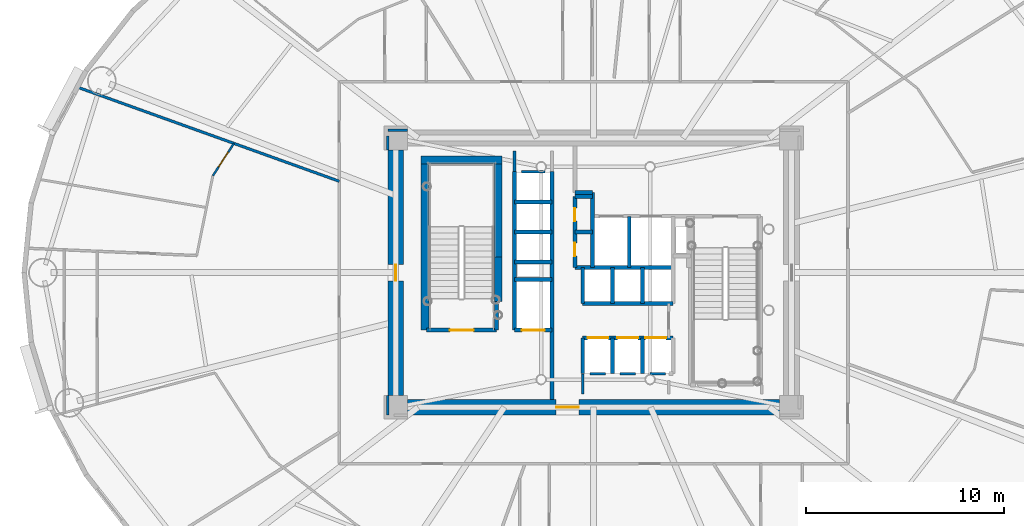
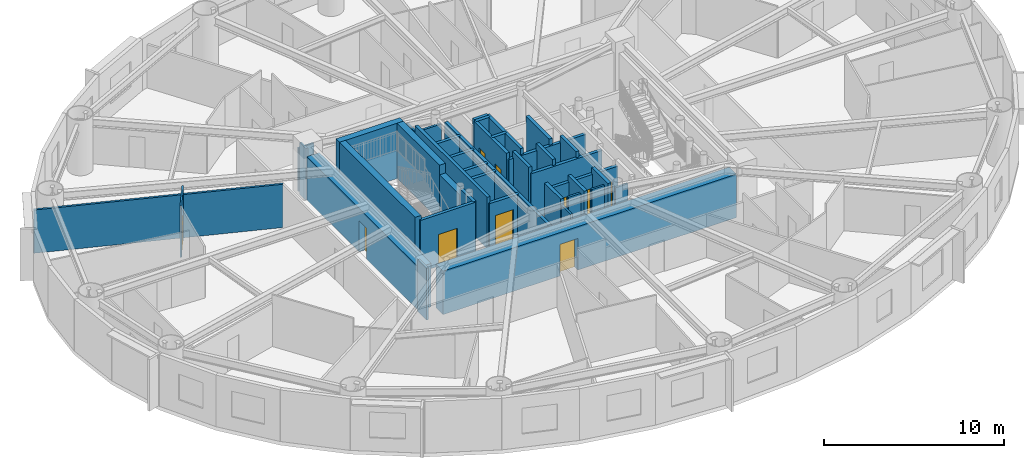
# One storey, part 9 of 18: 41 walls, 10 doors, 10 openings.
"""IFC4 building model written with IfcOpenShell, lengths in metres."""

from ifc_helpers import new_model, si_unit, direction, frame, frame_2d, origin, origin_2d, place, context, subcontext, project, spatial, rectangle, extrude, source, transform, mapped, material, layer, layer_set, type_object, element, fill, save


model = new_model("IFC4")

# Units and contexts
model_context = context("Model", 3, precision=1e-05, world=origin(), true_north=direction((0.0, 1.0)))
body_context = subcontext(model_context, "Body", "Model", "MODEL_VIEW")
ifc_project = project(units=[si_unit("LENGTHUNIT", "METRE"), si_unit("AREAUNIT", "SQUARE_METRE"), si_unit("VOLUMEUNIT", "CUBIC_METRE"), si_unit("PLANEANGLEUNIT", "RADIAN"), si_unit("MASSUNIT", "GRAM", prefix="KILO")], contexts=[model_context])

# Site, building, storey
site_placement = place(None, origin())
site = spatial("IfcSite", under=ifc_project, at=site_placement, CompositionType="ELEMENT")
building_placement = place(site_placement, origin())
building = spatial("IfcBuilding", under=site, at=building_placement, Name="Linh Dai School and Residence Tower", CompositionType="ELEMENT")
storey_placement = place(building_placement, frame((0.0, 0.0, 123.449951171875)))
storey = spatial("IfcBuildingStorey", under=building, at=storey_placement, Name="L29", CompositionType="ELEMENT", Elevation=123.449951171875)

# Walls
ifc_material_1 = material(Name="Autoclaved Aerated Concrete Blockwork", Category="masonry")
ifc_layer_1 = layer(ifc_material_1, 0.135009765625)
ifc_layer_set_1 = layer_set([ifc_layer_1], Name="Autoclaved Aerated Concrete Blockwork")
wall_type_1 = type_object("IfcWallType", Name="IW-CORR-135-EI90", PredefinedType="PARTITIONING", material=ifc_layer_set_1)
wall_1_placement = place(storey_placement, frame((9.90966796875, 36.375, 0.0), z_axis=(0.0, 0.0, 1.0), x_axis=(0.941089213164, -0.338158384292, 0.0)))
element("IfcWall", 1, at=wall_1_placement, inside=storey, type_object=wall_type_1, Name="L29 Interior Partition Wall 005", PredefinedType="PARTITIONING", context=body_context, shape_type="SweptSolid", body=[
    extrude(rectangle(XDim=14.069091796875, YDim=0.135009765625, at=frame_2d((7.03466796875, 0.0))), origin(), (0.0, 0.0, 1.0), 2.93505859375),
])
wall_2_placement = place(storey_placement, frame((36.60009765625, 21.89990234375, 0.0), z_axis=(0.0, 0.0, 1.0), x_axis=(-1.0, 0.0, 0.0)))
element("IfcWall", 2, at=wall_2_placement, inside=storey, type_object=wall_type_1, Name="L29 Interior Partition Wall 099", PredefinedType="PARTITIONING", context=body_context, shape_type="SweptSolid", body=[
    extrude(rectangle(XDim=0.7900390625, YDim=0.135009765625, at=frame_2d((0.39501953125, 0.0))), origin(), (0.0, 0.0, 1.0), 3.5),
])
wall_3_placement = place(storey_placement, frame((38.1201171875, 21.89990234375, 0.0), z_axis=(0.0, 0.0, 1.0), x_axis=(-1.0, 0.0, 0.0)))
element("IfcWall", 3, at=wall_3_placement, inside=storey, type_object=wall_type_1, Name="L29 Interior Partition Wall 100", PredefinedType="PARTITIONING", context=body_context, shape_type="SweptSolid", body=[
    extrude(rectangle(XDim=0.800048828125, YDim=0.135009765625, at=frame_2d((0.39990234375, 0.0))), origin(), (0.0, 0.0, 1.0), 3.5),
])
wall_4_placement = place(storey_placement, frame((39.639892578125, 21.89990234375, 0.0), z_axis=(0.0, 0.0, 1.0), x_axis=(-1.0, 0.0, 0.0)))
element("IfcWall", 4, at=wall_4_placement, inside=storey, type_object=wall_type_1, Name="L29 Interior Partition Wall 101", PredefinedType="PARTITIONING", context=body_context, shape_type="SweptSolid", body=[
    extrude(rectangle(XDim=0.7998046875, YDim=0.135009765625, at=frame_2d((0.39990234375, 0.0))), origin(), (0.0, 0.0, 1.0), 3.0849609375),
])
wall_5_placement = place(storey_placement, frame((32.360107421875, 32.10009765625, 0.0), z_axis=(0.0, 0.0, 1.0), x_axis=(1.0, 0.0, 0.0)))
element("IfcWall", 5, at=wall_5_placement, inside=storey, type_object=wall_type_1, Name="L29 Interior Partition Wall 102", PredefinedType="PARTITIONING", context=body_context, shape_type="SweptSolid", body=[
    extrude(rectangle(XDim=1.179931640625, YDim=0.135009765625, at=frame_2d((0.58984375, 0.0))), origin(), (0.0, 0.0, 1.0), 3.0849609375),
])
wall_6_placement = place(storey_placement, frame((32.0, 33.139892578125, 0.0), z_axis=(0.0, 0.0, 1.0), x_axis=(0.0, -1.0, 0.0)))
element("IfcWall", 6, at=wall_6_placement, inside=storey, type_object=wall_type_1, Name="L29 Interior Partition Wall 104", PredefinedType="PARTITIONING", context=body_context, shape_type="SweptSolid", body=[
    extrude(rectangle(XDim=1.02978515625, YDim=0.135009765625, at=frame_2d((0.514892578125, 0.0))), origin(), (0.0, 0.0, 1.0), 3.03515625),
])
wall_7_placement = place(storey_placement, frame((35.449951171875, 21.889892578125, 0.0), z_axis=(0.0, 0.0, 1.0), x_axis=(0.0, -1.0, 0.0)))
element("IfcWall", 7, at=wall_7_placement, inside=storey, type_object=wall_type_1, Name="L29 Interior Partition Wall 106", PredefinedType="PARTITIONING", context=body_context, shape_type="SweptSolid", body=[
    extrude(rectangle(XDim=1.02978515625, YDim=0.135009765625, at=frame_2d((0.514892578125, 0.0))), origin(), (0.0, 0.0, 1.0), 3.0849609375),
])
wall_8_placement = place(storey_placement, frame((26.590087890625, 34.199951171875, 0.0), z_axis=(0.0, 0.0, 1.0), x_axis=(-1.0, 0.0, 0.0)))
element("IfcWall", 8, at=wall_8_placement, inside=storey, type_object=wall_type_1, Name="L29 Interior Partition Wall 111", PredefinedType="PARTITIONING", context=body_context, shape_type="SweptSolid", body=[
    extrude(rectangle(XDim=0.989990234375, YDim=0.135009765625, at=frame_2d((0.4951171875, 0.0))), origin(), (0.0, 0.0, 1.0), 2.93505859375),
])
wall_9_placement = place(storey_placement, frame((25.60009765625, 33.892578125, 0.0), z_axis=(0.0, 0.0, 1.0), x_axis=(0.0, -1.0, 0.0)))
element("IfcWall", 9, at=wall_9_placement, inside=storey, type_object=wall_type_1, Name="L29 Interior Partition Wall 112", PredefinedType="PARTITIONING", context=body_context, shape_type="SweptSolid", body=[
    extrude(rectangle(XDim=0.6826171875, YDim=0.135009765625, at=frame_2d((0.34130859375, 0.0))), origin(), (0.0, 0.0, 1.0), 3.5),
])
wall_10_placement = place(storey_placement, frame((25.60009765625, 20.7900390625, 0.0), z_axis=(0.0, 0.0, 1.0), x_axis=(0.0, -1.0, 0.0)))
element("IfcWall", 10, at=wall_10_placement, inside=storey, type_object=wall_type_1, Name="L29 Interior Partition Wall 113", PredefinedType="PARTITIONING", context=body_context, shape_type="SweptSolid", body=[
    extrude(rectangle(XDim=0.989990234375, YDim=0.135009765625, at=frame_2d((0.4951171875, 0.0))), origin(), (0.0, 0.0, 1.0), 3.5),
])

# Wall, opening, door
ifc_material_2 = material(Name="Concrete B45 (C35/45)", Category="concrete")
ifc_layer_2 = layer(ifc_material_2, 0.199951171875)
ifc_layer_set_2 = layer_set([ifc_layer_2], Name="Concrete B45 (C35/45)")
wall_type_2 = type_object("IfcWallType", Name="IW-SHAFT-200-EI120", PredefinedType="PARTITIONING", material=ifc_layer_set_2)
wall_11_placement = place(storey_placement, frame((27.56005859375, 24.10009765625, 0.0), z_axis=(0.0, 0.0, 1.0), x_axis=(1.0, 0.0, 0.0)))
wall_11 = element("IfcWall", 11, at=wall_11_placement, inside=storey, type_object=wall_type_2, Name="L29 Interior Partition Wall 025", PredefinedType="PARTITIONING", context=body_context, shape_type="SweptSolid", body=[
    extrude(rectangle(XDim=3.5400390625, YDim=0.199951171875, at=frame_2d((1.77001953125, 0.0))), origin(), (0.0, 0.0, 1.0), 3.5),
])
opening_1_placement = place(wall_11_placement, frame((1.169921875, 0.0, 0.0)))
opening_1 = element("IfcOpeningElement", 12, at=opening_1_placement, cuts=wall_11, Name="Opening D01", PredefinedType="OPENING", context=body_context, shape_type="SweptSolid", body=[
    extrude(rectangle(XDim=1.199951171875, YDim=2.14990234375, at=origin_2d()), frame((0.60009765625, 0.10986328125, 1.074951171875), z_axis=(0.0, -1.0, 0.0), x_axis=(1.0, 0.0, 0.0)), (0.0, 0.0, 1.0), 0.219970703125),
])
ifc_material_3 = material(Name="Fire-Rated Steel Door Leaf", Category="steel")
door_type_1 = type_object("IfcDoorType", Name="DR-STAIR-1200x2150-FD90S", OperationType="NOTDEFINED", PredefinedType="DOOR", material=ifc_material_3)
shared_shape_1 = source(origin(), body_context, "Body", "SweptSolid", [
    extrude(rectangle(XDim=1.199951171875, YDim=2.14990234375, at=origin_2d()), frame((0.60009765625, 0.02490234375, 1.074951171875), z_axis=(0.0, -1.0, 0.0), x_axis=(1.0, 0.0, 0.0)), (0.0, 0.0, 1.0), 0.050048828125),
])
door_1_placement = place(opening_1_placement, origin())
door_1 = element("IfcDoor", 13, at=door_1_placement, inside=storey, type_object=door_type_1, Name="L29 Core Smokeproof Exit Stair ST1 Door", OperationType="SINGLE_SWING_LEFT", OverallHeight=2.14990234375, OverallWidth=1.199951171875, PredefinedType="DOOR", context=body_context, shape_type="MappedRepresentation", body=[
    mapped(shared_shape_1, transform((0.0, 0.0, 0.0), x_axis=(1.0, 0.0, 0.0), y_axis=(0.0, 1.0, 0.0), z_axis=(0.0, 0.0, 1.0), scale=1.0)),
])
fill(opening_1, door_1)

# Walls
wall_12_placement = place(storey_placement, frame((31.10009765625, 24.10009765625, 0.0), z_axis=(0.0, 0.0, 1.0), x_axis=(0.0, 1.0, 0.0)))
element("IfcWall", 14, at=wall_12_placement, inside=storey, type_object=wall_type_2, Name="L29 Interior Partition Wall 029", PredefinedType="PARTITIONING", context=body_context, shape_type="SweptSolid", body=[
    extrude(rectangle(XDim=1.43994140625, YDim=0.199951171875, at=frame_2d((0.719970703125, 0.0))), origin(), (0.0, 0.0, 1.0), 3.5),
])
wall_13_placement = place(storey_placement, frame((32.0, 24.10009765625, 0.0), z_axis=(0.0, 0.0, 1.0), x_axis=(0.0, 1.0, 0.0)))
element("IfcWall", 15, at=wall_13_placement, inside=storey, type_object=wall_type_2, Name="L29 Interior Partition Wall 030", PredefinedType="PARTITIONING", context=body_context, shape_type="SweptSolid", body=[
    extrude(rectangle(XDim=8.0, YDim=0.199951171875, at=frame_2d((4.0, 0.0))), origin(), (0.0, 0.0, 1.0), 3.5),
])

# Wall, opening, door
wall_14_placement = place(storey_placement, frame((32.0, 24.10009765625, 0.0), z_axis=(0.0, 0.0, 1.0), x_axis=(1.0, 0.0, 0.0)))
wall_14 = element("IfcWall", 16, at=wall_14_placement, inside=storey, type_object=wall_type_2, Name="L29 Interior Partition Wall 031", PredefinedType="PARTITIONING", context=body_context, shape_type="SweptSolid", body=[
    extrude(rectangle(XDim=1.89990234375, YDim=0.199951171875, at=frame_2d((0.949951171875, 0.0))), origin(), (0.0, 0.0, 1.0), 3.0849609375),
])
opening_2_placement = place(wall_14_placement, frame((0.375, 0.0, 0.0)))
opening_2 = element("IfcOpeningElement", 17, at=opening_2_placement, cuts=wall_14, Name="Opening LD-FF2", PredefinedType="OPENING", context=body_context, shape_type="SweptSolid", body=[
    extrude(rectangle(XDim=1.14990234375, YDim=2.14990234375, at=origin_2d()), frame((0.574951171875, 0.10986328125, 1.074951171875), z_axis=(0.0, -1.0, 0.0), x_axis=(1.0, 0.0, 0.0)), (0.0, 0.0, 1.0), 0.219970703125),
])
ifc_material_4 = material(Name="Fire-Rated Stainless Steel Firefighting Lift Door", Category="steel")
door_type_2 = type_object("IfcDoorType", Name="DR-LD-FF-1150x2150-FD120", OperationType="DOUBLE_DOOR_SLIDING", PredefinedType="USERDEFINED", material=ifc_material_4)
shared_shape_2 = source(origin(), body_context, "Body", "SweptSolid", [
    extrude(rectangle(XDim=1.14990234375, YDim=2.14990234375, at=origin_2d()), frame((0.574951171875, 0.02490234375, 1.074951171875), z_axis=(0.0, -1.0, 0.0), x_axis=(1.0, 0.0, 0.0)), (0.0, 0.0, 1.0), 0.050048828125),
])
door_2_placement = place(opening_2_placement, origin())
door_2 = element("IfcDoor", 18, at=door_2_placement, inside=storey, type_object=door_type_2, Name="L29 Lift FF2 Sliding Landing Door", ObjectType="LANDING DOOR", OperationType="DOUBLE_DOOR_SLIDING", OverallHeight=2.14990234375, OverallWidth=1.14990234375, PredefinedType="USERDEFINED", context=body_context, shape_type="MappedRepresentation", body=[
    mapped(shared_shape_2, transform((0.0, 0.0, 0.0), x_axis=(1.0, 0.0, 0.0), y_axis=(0.0, 1.0, 0.0), z_axis=(0.0, 0.0, 1.0), scale=1.0)),
])
fill(opening_2, door_2)

# Walls
for number, where, z_axis, x_axis, name in (
    (19, (32.0, 26.64990234375, 0.0), (0.0, 0.0, 1.0), (1.0, 0.0, 0.0), "L29 Interior Partition Wall 032"),
    (20, (32.0, 27.550048828125, 0.0), (0.0, 0.0, 1.0), (1.0, 0.0, 0.0), "L29 Interior Partition Wall 033"),
    (21, (32.0, 29.06005859375, 0.0), (0.0, 0.0, 1.0), (1.0, 0.0, 0.0), "L29 Interior Partition Wall 034"),
    (22, (32.0, 30.580078125, 0.0), (0.0, 0.0, 1.0), (1.0, 0.0, 0.0), "L29 Interior Partition Wall 035"),
):
    element("IfcWall", number, at=place(storey_placement, frame(where, z_axis=z_axis, x_axis=x_axis)), inside=storey, type_object=wall_type_2, Name=name, PredefinedType="PARTITIONING", context=body_context, shape_type="SweptSolid", body=[
        extrude(rectangle(XDim=1.89990234375, YDim=0.199951171875, at=frame_2d((0.949951171875, 0.0))), origin(), (0.0, 0.0, 1.0), 3.0849609375),
    ])
wall_15_placement = place(storey_placement, frame((33.89990234375, 20.60009765625, 0.0), z_axis=(0.0, 0.0, 1.0), x_axis=(0.0, 1.0, 0.0)))
element("IfcWall", 23, at=wall_15_placement, inside=storey, type_object=wall_type_2, Name="L29 Interior Partition Wall 039", PredefinedType="PARTITIONING", context=body_context, shape_type="SweptSolid", body=[
    extrude(rectangle(XDim=11.5, YDim=0.199951171875, at=frame_2d((5.75, 0.0))), origin(), (0.0, 0.0, 1.0), 3.0849609375),
])

# Wall, openings, doors
wall_16_placement = place(storey_placement, frame((35.050048828125, 27.25, 0.0), z_axis=(0.0, 0.0, 1.0), x_axis=(0.0, 1.0, 0.0)))
wall_16 = element("IfcWall", 24, at=wall_16_placement, inside=storey, type_object=wall_type_2, Name="L29 Interior Partition Wall 042", PredefinedType="PARTITIONING", context=body_context, shape_type="SweptSolid", body=[
    extrude(rectangle(XDim=3.60009765625, YDim=0.199951171875, at=frame_2d((1.800048828125, 0.0))), origin(), (0.0, 0.0, 1.0), 3.5),
])
opening_3_placement = place(wall_16_placement, frame((0.590087890625, 0.0, 0.0)))
opening_3 = element("IfcOpeningElement", 25, at=opening_3_placement, cuts=wall_16, Name="Opening AD1", PredefinedType="OPENING", context=body_context, shape_type="SweptSolid", body=[
    extrude(rectangle(XDim=0.659912109375, YDim=2.050048828125, at=origin_2d()), frame((0.330078125, 0.10986328125, 1.02490234375), z_axis=(0.0, -1.0, 0.0), x_axis=(1.0, 0.0, 0.0)), (0.0, 0.0, 1.0), 0.219970703125),
])
opening_4_placement = place(wall_16_placement, frame((2.35009765625, 0.0, 0.0)))
opening_4 = element("IfcOpeningElement", 26, at=opening_4_placement, cuts=wall_16, Name="Opening AD1", PredefinedType="OPENING", context=body_context, shape_type="SweptSolid", body=[
    extrude(rectangle(XDim=0.659912109375, YDim=2.050048828125, at=origin_2d()), frame((0.330078125, 0.10986328125, 1.02490234375), z_axis=(0.0, -1.0, 0.0), x_axis=(1.0, 0.0, 0.0)), (0.0, 0.0, 1.0), 0.219970703125),
])
ifc_material_5 = material(Name="Fire-Rated Steel Riser Access Door", Category="steel")
door_type_3 = type_object("IfcDoorType", Name="DR-ACC-660x2050-FD90S", OperationType="NOTDEFINED", PredefinedType="USERDEFINED", material=ifc_material_5)
shared_shape_3 = source(origin(), body_context, "Body", "SweptSolid", [
    extrude(rectangle(XDim=0.659912109375, YDim=2.050048828125, at=origin_2d()), frame((0.330078125, 0.02490234375, 1.02490234375), z_axis=(0.0, -1.0, 0.0), x_axis=(1.0, 0.0, 0.0)), (0.0, 0.0, 1.0), 0.050048828125),
])
door_3_placement = place(opening_3_placement, origin())
door_3 = element("IfcDoor", 27, at=door_3_placement, inside=storey, type_object=door_type_3, Name="L29 Telecom and Data Riser Access Door", ObjectType="ACCESS DOOR", OperationType="SINGLE_SWING_LEFT", OverallHeight=2.050048828125, OverallWidth=0.659912109375, PredefinedType="USERDEFINED", context=body_context, shape_type="MappedRepresentation", body=[
    mapped(shared_shape_3, transform((0.0, 0.0, 0.0), x_axis=(1.0, 0.0, 0.0), y_axis=(0.0, 1.0, 0.0), z_axis=(0.0, 0.0, 1.0), scale=1.0)),
])
fill(opening_3, door_3)
door_4_placement = place(opening_4_placement, origin())
door_4 = element("IfcDoor", 28, at=door_4_placement, inside=storey, type_object=door_type_3, Name="L29 Mechanical and Plumbing Riser Access Door", ObjectType="ACCESS DOOR", OperationType="SINGLE_SWING_RIGHT", OverallHeight=2.050048828125, OverallWidth=0.659912109375, PredefinedType="USERDEFINED", context=body_context, shape_type="MappedRepresentation", body=[
    mapped(shared_shape_3, transform((0.0, 0.0, 0.0), x_axis=(1.0, 0.0, 0.0), y_axis=(0.0, 1.0, 0.0), z_axis=(0.0, 0.0, 1.0), scale=1.0)),
])
fill(opening_4, door_4)

# Walls
wall_17_placement = place(storey_placement, frame((35.050048828125, 27.25, 0.0), z_axis=(0.0, 0.0, 1.0), x_axis=(1.0, 0.0, 0.0)))
element("IfcWall", 29, at=wall_17_placement, inside=storey, type_object=wall_type_2, Name="L29 Interior Partition Wall 043", PredefinedType="PARTITIONING", context=body_context, shape_type="SweptSolid", body=[
    extrude(rectangle(XDim=4.949951171875, YDim=0.199951171875, at=frame_2d((2.47509765625, 0.0))), origin(), (0.0, 0.0, 1.0), 3.0849609375),
])
for number, where, z_axis, x_axis, name in (
    (30, (35.050048828125, 29.050048828125, 0.0), (0.0, 0.0, 1.0), (1.0, 0.0, 0.0), "L29 Interior Partition Wall 044"),
    (31, (35.050048828125, 30.85009765625, 0.0), (0.0, 0.0, 1.0), (1.0, 0.0, 0.0), "L29 Interior Partition Wall 045"),
    (32, (35.050048828125, 31.050048828125, 0.0), (0.0, 0.0, 1.0), (1.0, 0.0, 0.0), "L29 Interior Partition Wall 047"),
):
    element("IfcWall", number, at=place(storey_placement, frame(where, z_axis=z_axis, x_axis=x_axis)), inside=storey, type_object=wall_type_2, Name=name, PredefinedType="PARTITIONING", context=body_context, shape_type="SweptSolid", body=[
        extrude(rectangle(XDim=0.89990234375, YDim=0.199951171875, at=frame_2d((0.449951171875, 0.0))), origin(), (0.0, 0.0, 1.0), 3.5),
    ])
wall_18_placement = place(storey_placement, frame((35.449951171875, 21.89990234375, 0.0), z_axis=(0.0, 0.0, 1.0), x_axis=(0.0, 1.0, 0.0)))
element("IfcWall", 33, at=wall_18_placement, inside=storey, type_object=wall_type_2, Name="L29 Interior Partition Wall 048", PredefinedType="PARTITIONING", context=body_context, shape_type="SweptSolid", body=[
    extrude(rectangle(XDim=1.800048828125, YDim=0.199951171875, at=frame_2d((0.89990234375, 0.0))), origin(), (0.0, 0.0, 1.0), 3.5),
])

# Wall, openings, doors
wall_19_placement = place(storey_placement, frame((35.449951171875, 23.699951171875, 0.0), z_axis=(0.0, 0.0, 1.0), x_axis=(1.0, 0.0, 0.0)))
wall_19 = element("IfcWall", 34, at=wall_19_placement, inside=storey, type_object=wall_type_2, Name="L29 Interior Partition Wall 049", PredefinedType="PARTITIONING", context=body_context, shape_type="SweptSolid", body=[
    extrude(rectangle(XDim=4.550048828125, YDim=0.199951171875, at=frame_2d((2.27490234375, 0.0))), origin(), (0.0, 0.0, 1.0), 3.0849609375),
])
opening_5_placement = place(wall_19_placement, frame((0.25, 0.0, 0.0)))
opening_5 = element("IfcOpeningElement", 35, at=opening_5_placement, cuts=wall_19, Name="Opening LD-PL1", PredefinedType="OPENING", context=body_context, shape_type="SweptSolid", body=[
    extrude(rectangle(XDim=1.050048828125, YDim=2.14990234375, at=origin_2d()), frame((0.52490234375, 0.10986328125, 1.074951171875), z_axis=(0.0, -1.0, 0.0), x_axis=(1.0, 0.0, 0.0)), (0.0, 0.0, 1.0), 0.219970703125),
])
opening_6_placement = place(wall_19_placement, frame((1.7451171875, 0.0, 0.0)))
opening_6 = element("IfcOpeningElement", 36, at=opening_6_placement, cuts=wall_19, Name="Opening LD-PL2", PredefinedType="OPENING", context=body_context, shape_type="SweptSolid", body=[
    extrude(rectangle(XDim=1.050048828125, YDim=2.14990234375, at=origin_2d()), frame((0.52490234375, 0.10986328125, 1.074951171875), z_axis=(0.0, -1.0, 0.0), x_axis=(1.0, 0.0, 0.0)), (0.0, 0.0, 1.0), 0.219970703125),
])
opening_7_placement = place(wall_19_placement, frame((3.1650390625, 0.0, 0.0)))
opening_7 = element("IfcOpeningElement", 37, at=opening_7_placement, cuts=wall_19, Name="Opening LD-PL3", PredefinedType="OPENING", context=body_context, shape_type="SweptSolid", body=[
    extrude(rectangle(XDim=1.050048828125, YDim=2.14990234375, at=origin_2d()), frame((0.52490234375, 0.10986328125, 1.074951171875), z_axis=(0.0, -1.0, 0.0), x_axis=(1.0, 0.0, 0.0)), (0.0, 0.0, 1.0), 0.219970703125),
])
ifc_material_6 = material(Name="Brushed Stainless Steel Lift Landing Door", Category="steel")
door_type_4 = type_object("IfcDoorType", Name="DR-LD-PASS-1050x2150", OperationType="DOUBLE_DOOR_SLIDING", PredefinedType="USERDEFINED", material=ifc_material_6)
shared_shape_4 = source(origin(), body_context, "Body", "SweptSolid", [
    extrude(rectangle(XDim=1.050048828125, YDim=2.14990234375, at=origin_2d()), frame((0.52490234375, 0.02490234375, 1.074951171875), z_axis=(0.0, -1.0, 0.0), x_axis=(1.0, 0.0, 0.0)), (0.0, 0.0, 1.0), 0.050048828125),
])
door_5_placement = place(opening_5_placement, origin())
door_5 = element("IfcDoor", 38, at=door_5_placement, inside=storey, type_object=door_type_4, Name="L29 Lift PL1 Sliding Landing Door", ObjectType="LANDING DOOR", OperationType="DOUBLE_DOOR_SLIDING", OverallHeight=2.14990234375, OverallWidth=1.050048828125, PredefinedType="USERDEFINED", context=body_context, shape_type="MappedRepresentation", body=[
    mapped(shared_shape_4, transform((0.0, 0.0, 0.0), x_axis=(1.0, 0.0, 0.0), y_axis=(0.0, 1.0, 0.0), z_axis=(0.0, 0.0, 1.0), scale=1.0)),
])
fill(opening_5, door_5)
door_6_placement = place(opening_6_placement, origin())
door_6 = element("IfcDoor", 39, at=door_6_placement, inside=storey, type_object=door_type_4, Name="L29 Lift PL2 Sliding Landing Door", ObjectType="LANDING DOOR", OperationType="DOUBLE_DOOR_SLIDING", OverallHeight=2.14990234375, OverallWidth=1.050048828125, PredefinedType="USERDEFINED", context=body_context, shape_type="MappedRepresentation", body=[
    mapped(shared_shape_4, transform((0.0, 0.0, 0.0), x_axis=(1.0, 0.0, 0.0), y_axis=(0.0, 1.0, 0.0), z_axis=(0.0, 0.0, 1.0), scale=1.0)),
])
fill(opening_6, door_6)
door_7_placement = place(opening_7_placement, origin())
door_7 = element("IfcDoor", 40, at=door_7_placement, inside=storey, type_object=door_type_4, Name="L29 Lift PL3 Sliding Landing Door", ObjectType="LANDING DOOR", OperationType="DOUBLE_DOOR_SLIDING", OverallHeight=2.14990234375, OverallWidth=1.050048828125, PredefinedType="USERDEFINED", context=body_context, shape_type="MappedRepresentation", body=[
    mapped(shared_shape_4, transform((0.0, 0.0, 0.0), x_axis=(1.0, 0.0, 0.0), y_axis=(0.0, 1.0, 0.0), z_axis=(0.0, 0.0, 1.0), scale=1.0)),
])
fill(opening_7, door_7)

# Walls
wall_20_placement = place(storey_placement, frame((35.449951171875, 25.449951171875, 0.0), z_axis=(0.0, 0.0, 1.0), x_axis=(0.0, 1.0, 0.0)))
element("IfcWall", 41, at=wall_20_placement, inside=storey, type_object=wall_type_2, Name="L29 Interior Partition Wall 050", PredefinedType="PARTITIONING", context=body_context, shape_type="SweptSolid", body=[
    extrude(rectangle(XDim=1.800048828125, YDim=0.199951171875, at=frame_2d((0.89990234375, 0.0))), origin(), (0.0, 0.0, 1.0), 3.5),
])
wall_21_placement = place(storey_placement, frame((35.449951171875, 25.449951171875, 0.0), z_axis=(0.0, 0.0, 1.0), x_axis=(1.0, 0.0, 0.0)))
element("IfcWall", 42, at=wall_21_placement, inside=storey, type_object=wall_type_2, Name="L29 Interior Partition Wall 051", PredefinedType="PARTITIONING", context=body_context, shape_type="SweptSolid", body=[
    extrude(rectangle(XDim=4.550048828125, YDim=0.199951171875, at=frame_2d((2.27490234375, 0.0))), origin(), (0.0, 0.0, 1.0), 3.0849609375),
])
wall_22_placement = place(storey_placement, frame((35.949951171875, 27.25, 0.0), z_axis=(0.0, 0.0, 1.0), x_axis=(0.0, 1.0, 0.0)))
element("IfcWall", 43, at=wall_22_placement, inside=storey, type_object=wall_type_2, Name="L29 Interior Partition Wall 054", PredefinedType="PARTITIONING", context=body_context, shape_type="SweptSolid", body=[
    extrude(rectangle(XDim=3.800048828125, YDim=0.199951171875, at=frame_2d((1.89990234375, 0.0))), origin(), (0.0, 0.0, 1.0), 3.5),
])
for number, where, z_axis, x_axis, name in (
    (44, (36.9599609375, 21.89990234375, 0.0), (0.0, 0.0, 1.0), (0.0, 1.0, 0.0), "L29 Interior Partition Wall 057"),
    (45, (36.9599609375, 25.449951171875, 0.0), (0.0, 0.0, 1.0), (0.0, 1.0, 0.0), "L29 Interior Partition Wall 058"),
):
    element("IfcWall", number, at=place(storey_placement, frame(where, z_axis=z_axis, x_axis=x_axis)), inside=storey, type_object=wall_type_2, Name=name, PredefinedType="PARTITIONING", context=body_context, shape_type="SweptSolid", body=[
        extrude(rectangle(XDim=1.800048828125, YDim=0.199951171875, at=frame_2d((0.89990234375, 0.0))), origin(), (0.0, 0.0, 1.0), 3.5),
    ])
wall_23_placement = place(storey_placement, frame((37.800048828125, 27.25, 0.0), z_axis=(0.0, 0.0, 1.0), x_axis=(0.0, 1.0, 0.0)))
element("IfcWall", 46, at=wall_23_placement, inside=storey, type_object=wall_type_2, Name="L29 Interior Partition Wall 060", PredefinedType="PARTITIONING", context=body_context, shape_type="SweptSolid", body=[
    extrude(rectangle(XDim=2.60009765625, YDim=0.199951171875, at=frame_2d((1.300048828125, 0.0))), origin(), (0.0, 0.0, 1.0), 3.5),
])
for number, where, z_axis, x_axis, name in (
    (47, (38.47998046875, 21.89990234375, 0.0), (0.0, 0.0, 1.0), (0.0, 1.0, 0.0), "L29 Interior Partition Wall 062"),
    (48, (38.47998046875, 25.449951171875, 0.0), (0.0, 0.0, 1.0), (0.0, 1.0, 0.0), "L29 Interior Partition Wall 063"),
):
    element("IfcWall", number, at=place(storey_placement, frame(where, z_axis=z_axis, x_axis=x_axis)), inside=storey, type_object=wall_type_2, Name=name, PredefinedType="PARTITIONING", context=body_context, shape_type="SweptSolid", body=[
        extrude(rectangle(XDim=1.800048828125, YDim=0.199951171875, at=frame_2d((0.89990234375, 0.0))), origin(), (0.0, 0.0, 1.0), 3.5),
    ])

# Wall, opening, door
ifc_material_7 = material(Name="Gypsum Plasterboard Acoustic Stud Partition", Category="masonry")
ifc_layer_3 = layer(ifc_material_7, 0.10009765625)
ifc_layer_set_3 = layer_set([ifc_layer_3], Name="Gypsum Plasterboard Acoustic Stud Partition")
wall_type_3 = type_object("IfcWallType", Name="IW-UNIT-100", PredefinedType="PARTITIONING", material=ifc_layer_set_3)
wall_24_placement = place(storey_placement, frame((16.760009765625, 31.89501953125, 0.0), z_axis=(0.0, 0.0, 1.0), x_axis=(0.545370803514, 0.838194897786, 0.0)))
wall_24 = element("IfcWall", 49, at=wall_24_placement, inside=storey, type_object=wall_type_3, Name="L29 Interior Partition Wall 010", PredefinedType="PARTITIONING", context=body_context, shape_type="SweptSolid", body=[
    extrude(rectangle(XDim=1.951904296875, YDim=0.10009765625, at=frame_2d((0.97607421875, 0.0))), origin(), (0.0, 0.0, 1.0), 3.5),
])
opening_8_placement = place(wall_24_placement, frame((0.52587890625, 0.0, 0.0)))
opening_8 = element("IfcOpeningElement", 50, at=opening_8_placement, cuts=wall_24, Name="Opening D05", PredefinedType="OPENING", context=body_context, shape_type="SweptSolid", body=[
    extrude(rectangle(XDim=0.89990234375, YDim=2.10009765625, at=origin_2d()), frame((0.449951171875, 0.06005859375, 1.050048828125), z_axis=(0.0, -1.0, 0.0), x_axis=(1.0, 0.0, 0.0)), (0.0, 0.0, 1.0), 0.1201171875),
])
ifc_material_8 = material(Name="Engineered Timber Internal Door", Category="wood")
door_type_5 = type_object("IfcDoorType", Name="DR-INT-900x2100", OperationType="NOTDEFINED", PredefinedType="DOOR", material=ifc_material_8)
shared_shape_5 = source(origin(), body_context, "Body", "SweptSolid", [
    extrude(rectangle(XDim=0.89990234375, YDim=2.10009765625, at=origin_2d()), frame((0.449951171875, 0.02490234375, 1.050048828125), z_axis=(0.0, -1.0, 0.0), x_axis=(1.0, 0.0, 0.0)), (0.0, 0.0, 1.0), 0.050048828125),
])
door_8_placement = place(opening_8_placement, origin())
door_8 = element("IfcDoor", 51, at=door_8_placement, inside=storey, type_object=door_type_5, Name="L29 Apartment U2903 Principal Bedroom 1 Door", OperationType="SINGLE_SWING_RIGHT", OverallHeight=2.10009765625, OverallWidth=0.89990234375, PredefinedType="DOOR", context=body_context, shape_type="MappedRepresentation", body=[
    mapped(shared_shape_5, transform((0.0, 0.0, 0.0), x_axis=(1.0, 0.0, 0.0), y_axis=(0.0, 1.0, 0.0), z_axis=(0.0, 0.0, 1.0), scale=1.0)),
])
fill(opening_8, door_8)

# Walls
ifc_layer_4 = layer(ifc_material_2, 0.39990234375)
ifc_layer_set_4 = layer_set([ifc_layer_4], Name="Concrete B45 (C35/45)")
wall_type_4 = type_object("IfcWallType", Name="WL-CORE400", PredefinedType="SHEAR", material=ifc_layer_set_4)
wall_25_placement = place(storey_placement, frame((27.47998046875, 24.10009765625, 0.0), z_axis=(0.0, 0.0, 1.0), x_axis=(0.0, 1.0, 0.0)))
element("IfcWall", 52, at=wall_25_placement, inside=storey, type_object=wall_type_4, Name="L29 Core Stair ST1 Bearing Wall W", PredefinedType="SHEAR", context=body_context, shape_type="SweptSolid", body=[
    extrude(rectangle(XDim=8.599853515625, YDim=0.39990234375, at=frame_2d((4.2998046875, 0.0))), origin(), (0.0, 0.0, 1.0), 3.75),
])
wall_26_placement = place(storey_placement, frame((31.179931640625, 27.800048828125, 0.0), z_axis=(0.0, 0.0, 1.0), x_axis=(0.0, 1.0, 0.0)))
element("IfcWall", 53, at=wall_26_placement, inside=storey, type_object=wall_type_4, Name="L29 Core Stair ST1 Bearing Wall E", PredefinedType="SHEAR", context=body_context, shape_type="SweptSolid", body=[
    extrude(rectangle(XDim=4.89990234375, YDim=0.39990234375, at=frame_2d((2.449951171875, 0.0))), origin(), (0.0, 0.0, 1.0), 3.75),
])
wall_27_placement = place(storey_placement, frame((27.280029296875, 32.699951171875, 0.0), z_axis=(0.0, 0.0, 1.0), x_axis=(1.0, 0.0, 0.0)))
element("IfcWall", 54, at=wall_27_placement, inside=storey, type_object=wall_type_4, Name="L29 Core Stair ST1 Bearing Wall N", PredefinedType="SHEAR", context=body_context, shape_type="SweptSolid", body=[
    extrude(rectangle(XDim=4.099853515625, YDim=0.39990234375, at=frame_2d((2.0498046875, 0.0))), origin(), (0.0, 0.0, 1.0), 3.75),
])
wall_28_placement = place(storey_placement, frame((31.179931640625, 25.550048828125, 0.0), z_axis=(0.0, 0.0, 1.0), x_axis=(0.0, 1.0, 0.0)))
element("IfcWall", 55, at=wall_28_placement, inside=storey, type_object=wall_type_4, Name="L29 Internal Core Shear Wall IW", PredefinedType="SHEAR", context=body_context, shape_type="SweptSolid", body=[
    extrude(rectangle(XDim=2.25, YDim=0.39990234375, at=frame_2d((1.125, 0.0))), origin(), (0.0, 0.0, 1.0), 3.10009765625),
])

# Wall, opening, door
ifc_material_9 = material(Name="Concrete B60 (C50/60)", Category="concrete")
ifc_layer_5 = layer(ifc_material_9, 0.800048828125)
ifc_layer_set_5 = layer_set([ifc_layer_5], Name="Concrete B60 (C50/60)")
wall_type_5 = type_object("IfcWallType", Name="WL-CORE800", PredefinedType="SHEAR", material=ifc_layer_set_5)
wall_29_placement = place(storey_placement, frame((45.39990234375, 20.199951171875, 0.0), z_axis=(0.0, 0.0, 1.0), x_axis=(-1.0, 0.0, 0.0)))
wall_29 = element("IfcWall", 56, at=wall_29_placement, inside=storey, type_object=wall_type_5, Name="L29 Central Core Shear Wall S", PredefinedType="SHEAR", context=body_context, shape_type="SweptSolid", body=[
    extrude(rectangle(XDim=18.7998046875, YDim=0.800048828125, at=frame_2d((9.39990234375, 0.0))), origin(), (0.0, 0.0, 1.0), 2.949951171875),
])
opening_9_placement = place(wall_29_placement, frame((10.14990234375, 0.0, 0.0)))
opening_9 = element("IfcOpeningElement", 57, at=opening_9_placement, cuts=wall_29, Name="Opening D02", PredefinedType="OPENING", context=body_context, shape_type="SweptSolid", body=[
    extrude(rectangle(XDim=1.14990234375, YDim=2.14990234375, at=origin_2d()), frame((0.574951171875, 0.41015625, 1.074951171875), z_axis=(0.0, -1.0, 0.0), x_axis=(1.0, 0.0, 0.0)), (0.0, 0.0, 1.0), 0.820068359375),
])
ifc_material_10 = material(Name="Fire-Rated Glazed Steel Lobby Door", Category="steel")
door_type_6 = type_object("IfcDoorType", Name="DR-LOBBY-1150x2150-FD90S", OperationType="NOTDEFINED", PredefinedType="DOOR", material=ifc_material_10)
shared_shape_6 = source(origin(), body_context, "Body", "SweptSolid", [
    extrude(rectangle(XDim=1.14990234375, YDim=2.14990234375, at=origin_2d()), frame((0.574951171875, 0.02490234375, 1.074951171875), z_axis=(0.0, -1.0, 0.0), x_axis=(1.0, 0.0, 0.0)), (0.0, 0.0, 1.0), 0.050048828125),
])
door_9_placement = place(opening_9_placement, origin())
door_9 = element("IfcDoor", 58, at=door_9_placement, inside=storey, type_object=door_type_6, Name="L29 Passenger Foyer Access Door", OperationType="SINGLE_SWING_RIGHT", OverallHeight=2.14990234375, OverallWidth=1.14990234375, PredefinedType="DOOR", context=body_context, shape_type="MappedRepresentation", body=[
    mapped(shared_shape_6, transform((0.0, 0.0, 0.0), x_axis=(1.0, 0.0, 0.0), y_axis=(0.0, 1.0, 0.0), z_axis=(0.0, 0.0, 1.0), scale=1.0)),
])
fill(opening_9, door_9)

wall_30_placement = place(storey_placement, frame((26.0, 20.800048828125, 0.0), z_axis=(0.0, 0.0, 1.0), x_axis=(0.0, 1.0, 0.0)))
wall_30 = element("IfcWall", 59, at=wall_30_placement, inside=storey, type_object=wall_type_5, Name="L29 Central Core Shear Wall W", PredefinedType="SHEAR", context=body_context, shape_type="SweptSolid", body=[
    extrude(rectangle(XDim=12.39990234375, YDim=0.800048828125, at=frame_2d((6.199951171875, 0.0))), origin(), (0.0, 0.0, 1.0), 2.949951171875),
])
opening_10_placement = place(wall_30_placement, frame((5.7900390625, 0.0, 0.0)))
opening_10 = element("IfcOpeningElement", 60, at=opening_10_placement, cuts=wall_30, Name="Opening D06", PredefinedType="OPENING", context=body_context, shape_type="SweptSolid", body=[
    extrude(rectangle(XDim=0.820068359375, YDim=2.10009765625, at=origin_2d()), frame((0.41015625, 0.41015625, 1.050048828125), z_axis=(0.0, -1.0, 0.0), x_axis=(1.0, 0.0, 0.0)), (0.0, 0.0, 1.0), 0.820068359375),
])
ifc_material_11 = material(Name="Moisture-Resistant Timber Bathroom Door", Category="wood")
door_type_7 = type_object("IfcDoorType", Name="DR-WET-820x2100", OperationType="NOTDEFINED", PredefinedType="DOOR", material=ifc_material_11)
shared_shape_7 = source(origin(), body_context, "Body", "SweptSolid", [
    extrude(rectangle(XDim=0.820068359375, YDim=2.10009765625, at=origin_2d()), frame((0.41015625, 0.02490234375, 1.050048828125), z_axis=(0.0, -1.0, 0.0), x_axis=(1.0, 0.0, 0.0)), (0.0, 0.0, 1.0), 0.050048828125),
])
door_10_placement = place(opening_10_placement, origin())
door_10 = element("IfcDoor", 61, at=door_10_placement, inside=storey, type_object=door_type_7, Name="L29 Firefighting Lobby Door", OperationType="SINGLE_SWING_RIGHT", OverallHeight=2.10009765625, OverallWidth=0.820068359375, PredefinedType="DOOR", context=body_context, shape_type="MappedRepresentation", body=[
    mapped(shared_shape_7, transform((0.0, 0.0, 0.0), x_axis=(1.0, 0.0, 0.0), y_axis=(0.0, 1.0, 0.0), z_axis=(0.0, 0.0, 1.0), scale=1.0)),
])
fill(opening_10, door_10)

save(model, "model.ifc")
